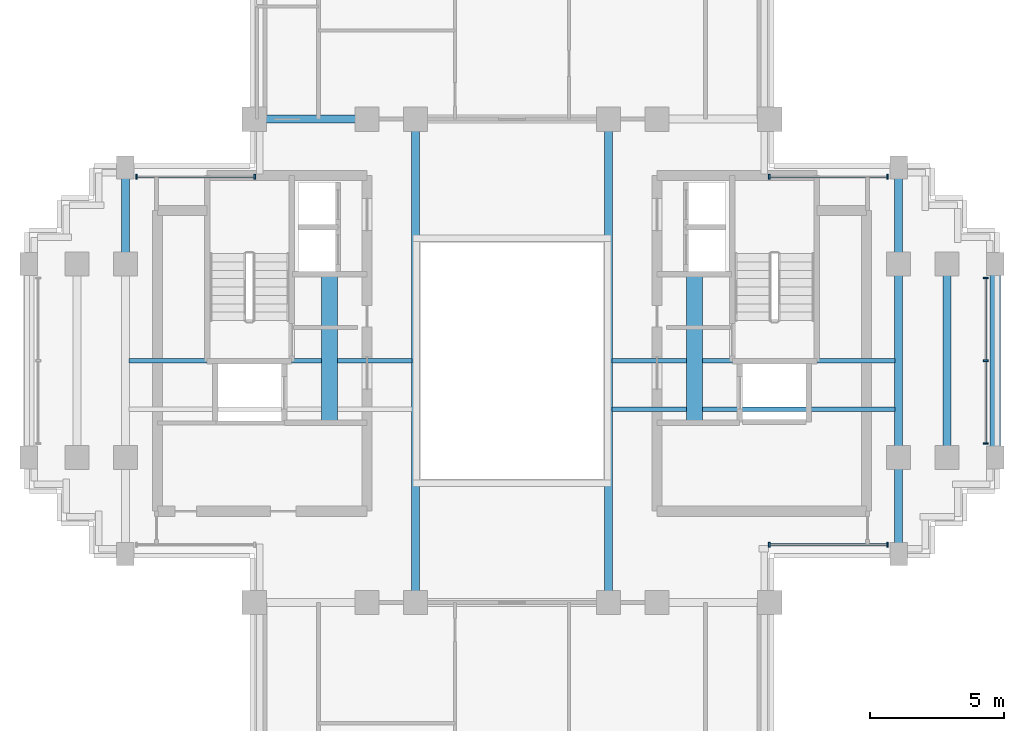
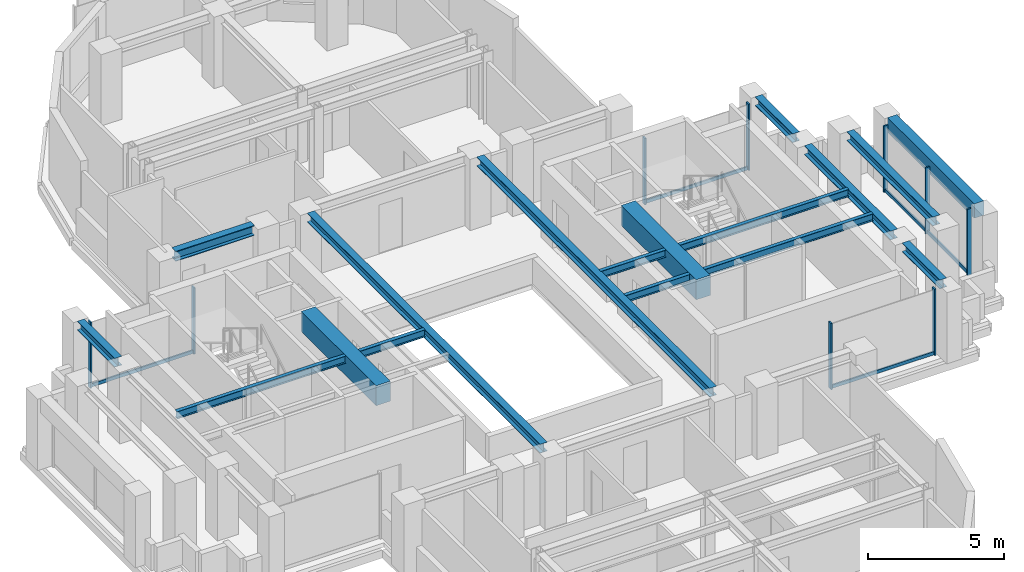
# One storey, part 3 of 11: 14 beams, 14 members, 4 elements without a shape of their own.
"""IFC4 building model written with IfcOpenShell, lengths in metres."""

from ifc_helpers import new_model, si_unit, direction, frame, origin, origin_2d, place, context, subcontext, project, spatial, rectangle, i_section, extrude, source, transform, mapped, material, material_profile, profile_set, type_object, element, aggregate, save


model = new_model("IFC4")

# Units and contexts
model_context = context("Model", 3, precision=1e-05, world=origin(), true_north=direction((0.0, 1.0)))
body_context = subcontext(model_context, "Body", "Model", "MODEL_VIEW")
ifc_project = project(units=[si_unit("LENGTHUNIT", "METRE"), si_unit("AREAUNIT", "SQUARE_METRE"), si_unit("VOLUMEUNIT", "CUBIC_METRE"), si_unit("PLANEANGLEUNIT", "RADIAN"), si_unit("MASSUNIT", "GRAM", prefix="KILO")], contexts=[model_context])

# Site, building, storey
site_placement = place(None, origin())
site = spatial("IfcSite", under=ifc_project, at=site_placement, CompositionType="ELEMENT")
building_placement = place(site_placement, origin())
building = spatial("IfcBuilding", under=site, at=building_placement, Name="Keilestroom Media Tower", CompositionType="ELEMENT")
storey_placement = place(building_placement, frame((0.0, 0.0, 208.0)))
storey = spatial("IfcBuildingStorey", under=building, at=storey_placement, Name="L57", CompositionType="ELEMENT", Elevation=208.0)

# Beams
ifc_material_1 = material(Name="Concrete C70/85", Category="concrete")
ifc_material_profile_1 = material_profile(ifc_material_1, rectangle(XDim=0.60009765625, YDim=0.89990234375, at=origin_2d()), Name="RC 600x900")
ifc_profile_set_1 = profile_set([ifc_material_profile_1], Name="Concrete C70/85")
beam_type_1 = type_object("IfcBeamType", Name="Core-Coupling-Lintel-Beam-RC-600x900", PredefinedType="LINTEL", material=ifc_profile_set_1)
shared_shape_1 = source(origin(), body_context, "Body", "SweptSolid", [
    extrude(rectangle(XDim=0.60009765625, YDim=0.89990234375, at=origin_2d()), origin(), (0.0, 0.0, 1.0), 5.52001953125),
])
for number, where, z_axis, x_axis, name in (
    (1, (-6.800048828125, -2.300048828125, 2.75), (0.0, 1.0, 0.0), (-1.0, 0.0, 0.0), "L57 Beam CLB-1 CLB-L57-W"),
    (2, (6.800048828125, -2.300048828125, 2.75), (0.0, 1.0, 0.0), (-1.0, 0.0, 0.0), "L57 Beam CLB-1 CLB-L57-E"),
):
    element("IfcBeam", number, at=place(storey_placement, frame(where, z_axis=z_axis, x_axis=x_axis)), inside=storey, type_object=beam_type_1, Name=name, PredefinedType="LINTEL", context=body_context, shape_type="MappedRepresentation", body=[
        mapped(shared_shape_1, transform((0.0, 0.0, 0.0), x_axis=(1.0, 0.0, 0.0), y_axis=(0.0, 1.0, 0.0), z_axis=(0.0, 0.0, 1.0), scale=1.0)),
    ])
ifc_material_2 = material(Name="Steel S355", Category="steel")
ifc_material_profile_2 = material_profile(ifc_material_2, i_section(OverallWidth=0.300048828125, OverallDepth=0.449951171875, WebThickness=0.011962890625, FlangeThickness=0.02587890625, at=origin_2d()), Name="HEB 450")
ifc_profile_set_2 = profile_set([ifc_material_profile_2], Name="Steel S355")
beam_type_2 = type_object("IfcBeamType", Name="Primary-Structural-Girder-HEB-450", PredefinedType="BEAM", material=ifc_profile_set_2)
shared_shape_2 = source(origin(), body_context, "Body", "SweptSolid", [
    extrude(i_section(OverallWidth=0.300048828125, OverallDepth=0.449951171875, WebThickness=0.011962890625, FlangeThickness=0.02587890625, at=origin_2d()), origin(), (0.0, 0.0, 1.0), 3.33984375),
])
beam_1_placement = place(storey_placement, frame((-9.169921875, 9.0, 2.97509765625), z_axis=(1.0, 0.0, 0.0), x_axis=(0.0, 1.0, 0.0)))
element("IfcBeam", 3, at=beam_1_placement, inside=storey, type_object=beam_type_2, Name="L57 Beam BG-7 BM-L57-EW-020", PredefinedType="BEAM", context=body_context, shape_type="MappedRepresentation", body=[
    mapped(shared_shape_2, transform((0.0, 0.0, 0.0), x_axis=(1.0, 0.0, 0.0), y_axis=(0.0, 1.0, 0.0), z_axis=(0.0, 0.0, 1.0), scale=1.0)),
])
ifc_material_3 = material(Name="Precast concrete C40/50", Category="concrete")
ifc_material_profile_3 = material_profile(ifc_material_3, rectangle(XDim=0.39990234375, YDim=0.64990234375, at=origin_2d()), Name="PC 400x650")
ifc_profile_set_3 = profile_set([ifc_material_profile_3], Name="Precast concrete C40/50")
beam_type_3 = type_object("IfcBeamType", Name="Perimeter-Spandrel-Beam-PC-400x650", PredefinedType="SPANDREL", material=ifc_profile_set_3)
shared_shape_3 = source(origin(), body_context, "Body", "SweptSolid", [
    extrude(rectangle(XDim=0.39990234375, YDim=0.64990234375, at=origin_2d()), origin(), (0.0, 0.0, 1.0), 6.39013671875),
])
beam_2_placement = place(storey_placement, frame((18.0, -3.195068359375, 2.875), z_axis=(0.0, 1.0, 0.0), x_axis=(-1.0, 0.0, 0.0)))
element("IfcBeam", 4, at=beam_2_placement, inside=storey, type_object=beam_type_3, Name="L57 Beam SPB-2 BM-L57-NS-054", PredefinedType="SPANDREL", context=body_context, shape_type="MappedRepresentation", body=[
    mapped(shared_shape_3, transform((0.0, 0.0, 0.0), x_axis=(1.0, 0.0, 0.0), y_axis=(0.0, 1.0, 0.0), z_axis=(0.0, 0.0, 1.0), scale=1.0)),
])
ifc_material_profile_4 = material_profile(ifc_material_2, i_section(OverallWidth=0.300048828125, OverallDepth=0.39990234375, WebThickness=0.011474609375, FlangeThickness=0.02392578125, at=origin_2d()), Name="HEB 400")
ifc_profile_set_4 = profile_set([ifc_material_profile_4], Name="Steel S355")
beam_type_4 = type_object("IfcBeamType", Name="Primary-Structural-Girder-HEB-400", PredefinedType="BEAM", material=ifc_profile_set_4)
shared_shape_4 = source(origin(), body_context, "Body", "SweptSolid", [
    extrude(i_section(OverallWidth=0.300048828125, OverallDepth=0.39990234375, WebThickness=0.011474609375, FlangeThickness=0.02392578125, at=origin_2d()), origin(), (0.0, 0.0, 1.0), 6.33984375),
])
for number, where, z_axis, x_axis, name in (
    (5, (14.39990234375, -3.169921875, 3.0), (0.0, 1.0, 0.0), (-1.0, 0.0, 0.0), "L57 Beam BG-8 BM-L57-NS-051"),
    (6, (16.199951171875, -3.169921875, 3.0), (0.0, 1.0, 0.0), (-1.0, 0.0, 0.0), "L57 Beam BG-8 BM-L57-NS-053"),
):
    element("IfcBeam", number, at=place(storey_placement, frame(where, z_axis=z_axis, x_axis=x_axis)), inside=storey, type_object=beam_type_4, Name=name, PredefinedType="BEAM", context=body_context, shape_type="MappedRepresentation", body=[
        mapped(shared_shape_4, transform((0.0, 0.0, 0.0), x_axis=(1.0, 0.0, 0.0), y_axis=(0.0, 1.0, 0.0), z_axis=(0.0, 0.0, 1.0), scale=1.0)),
    ])
shared_shape_5 = source(origin(), body_context, "Body", "SweptSolid", [
    extrude(i_section(OverallWidth=0.300048828125, OverallDepth=0.39990234375, WebThickness=0.011474609375, FlangeThickness=0.02392578125, at=origin_2d()), origin(), (0.0, 0.0, 1.0), 2.764892578125),
])
for number, where, z_axis, x_axis, name in (
    (7, (-14.39990234375, 4.030029296875, 3.0), (0.0, 1.0, 0.0), (-1.0, 0.0, 0.0), "L57 Beam BG-8 BM-L57-NS-035"),
    (8, (14.39990234375, -6.794921875, 3.0), (0.0, 1.0, 0.0), (-1.0, 0.0, 0.0), "L57 Beam BG-8 BM-L57-NS-050"),
    (9, (14.39990234375, 4.030029296875, 3.0), (0.0, 1.0, 0.0), (-1.0, 0.0, 0.0), "L57 Beam BG-8 BM-L57-NS-052"),
):
    element("IfcBeam", number, at=place(storey_placement, frame(where, z_axis=z_axis, x_axis=x_axis)), inside=storey, type_object=beam_type_4, Name=name, PredefinedType="BEAM", context=body_context, shape_type="MappedRepresentation", body=[
        mapped(shared_shape_5, transform((0.0, 0.0, 0.0), x_axis=(1.0, 0.0, 0.0), y_axis=(0.0, 1.0, 0.0), z_axis=(0.0, 0.0, 1.0), scale=1.0)),
    ])
shared_shape_6 = source(origin(), body_context, "Body", "SweptSolid", [
    extrude(i_section(OverallWidth=0.300048828125, OverallDepth=0.39990234375, WebThickness=0.011474609375, FlangeThickness=0.02392578125, at=origin_2d()), origin(), (0.0, 0.0, 1.0), 17.14013671875),
])
for number, where, z_axis, x_axis, name in (
    (10, (-3.60009765625, -8.570068359375, 3.0), (0.0, 1.0, 0.0), (-1.0, 0.0, 0.0), "L57 Beam BG-8 BM-L57-NS-040"),
    (11, (3.60009765625, -8.570068359375, 3.0), (0.0, 1.0, 0.0), (-1.0, 0.0, 0.0), "L57 Beam BG-8 BM-L57-NS-045"),
):
    element("IfcBeam", number, at=place(storey_placement, frame(where, z_axis=z_axis, x_axis=x_axis)), inside=storey, type_object=beam_type_4, Name=name, PredefinedType="BEAM", context=body_context, shape_type="MappedRepresentation", body=[
        mapped(shared_shape_6, transform((0.0, 0.0, 0.0), x_axis=(1.0, 0.0, 0.0), y_axis=(0.0, 1.0, 0.0), z_axis=(0.0, 0.0, 1.0), scale=1.0)),
    ])
ifc_material_profile_5 = material_profile(ifc_material_2, i_section(OverallWidth=0.159912109375, OverallDepth=0.330078125, WebThickness=0.007568359375, FlangeThickness=0.011474609375, at=origin_2d()), Name="IPE 330")
ifc_profile_set_5 = profile_set([ifc_material_profile_5], Name="Steel S355")
beam_type_5 = type_object("IfcBeamType", Name="Secondary-Floor-Joist-IPE-330", PredefinedType="JOIST", material=ifc_profile_set_5)
shared_shape_7 = source(origin(), body_context, "Body", "SweptSolid", [
    extrude(i_section(OverallWidth=0.159912109375, OverallDepth=0.330078125, WebThickness=0.007568359375, FlangeThickness=0.011474609375, at=origin_2d()), origin(), (0.0, 0.0, 1.0), 10.5400390625),
])
for number, where, z_axis, x_axis, name in (
    (12, (3.72998046875, -1.800048828125, 3.034912109375), (1.0, 0.0, 0.0), (0.0, 1.0, 0.0), "L57 Beam BJ-6 JST-L57-059"),
    (13, (-14.27001953125, 0.0, 3.034912109375), (1.0, 0.0, 0.0), (0.0, 1.0, 0.0), "L57 Beam BJ-6 JST-L57-060"),
    (14, (3.72998046875, 0.0, 3.034912109375), (1.0, 0.0, 0.0), (0.0, 1.0, 0.0), "L57 Beam BJ-6 JST-L57-062"),
):
    element("IfcBeam", number, at=place(storey_placement, frame(where, z_axis=z_axis, x_axis=x_axis)), inside=storey, type_object=beam_type_5, Name=name, PredefinedType="JOIST", context=body_context, shape_type="MappedRepresentation", body=[
        mapped(shared_shape_7, transform((0.0, 0.0, 0.0), x_axis=(1.0, 0.0, 0.0), y_axis=(0.0, 1.0, 0.0), z_axis=(0.0, 0.0, 1.0), scale=1.0)),
    ])

# Curtain wall, members
ifc_material_4 = material(Name="Anodised Aluminium Alloy", Category="aluminium")
curtain_wall_type = type_object("IfcCurtainWallType", Name="Unitised-Curtain-Wall-CW-3", PredefinedType="NOTDEFINED", material=ifc_material_4)
curtain_wall_1_placement = place(storey_placement, origin())
curtain_wall_1 = element("IfcCurtainWall", 15, at=curtain_wall_1_placement, inside=storey, type_object=curtain_wall_type, Name="L57 Curtain Wall CW-3 CW-L57-E-1", PredefinedType="NOTDEFINED")
ifc_material_profile_6 = material_profile(ifc_material_4, rectangle(XDim=0.06494140625, YDim=0.179931640625, at=origin_2d()), Name="ALU MULLION 65x180")
ifc_profile_set_6 = profile_set([ifc_material_profile_6], Name="Anodised Aluminium Alloy")
member_type_1 = type_object("IfcMemberType", Name="Curtain-Wall-Mullion-CW-3", PredefinedType="MULLION", material=ifc_profile_set_6)
shared_shape_8 = source(origin(), body_context, "Body", "SweptSolid", [
    extrude(rectangle(XDim=0.06494140625, YDim=0.179931640625, at=origin_2d()), origin(), (0.0, 0.0, 1.0), 2.97998046875),
])
member_1_placement = place(storey_placement, frame((17.64990234375, -3.08251953125, 0.0), z_axis=(0.0, 0.0, 1.0), x_axis=(0.0, 1.0, 0.0)))
member_1 = element("IfcMember", 16, at=member_1_placement, type_object=member_type_1, Name="CW-3 Mullion 00", PredefinedType="MULLION", context=body_context, shape_type="MappedRepresentation", body=[
    mapped(shared_shape_8, transform((0.0, 0.0, 0.0), x_axis=(1.0, 0.0, 0.0), y_axis=(0.0, 1.0, 0.0), z_axis=(0.0, 0.0, 1.0), scale=1.0)),
])
member_2_placement = place(storey_placement, frame((17.64990234375, 0.0, 0.0), z_axis=(0.0, 0.0, 1.0), x_axis=(0.0, 1.0, 0.0)))
member_2 = element("IfcMember", 17, at=member_2_placement, type_object=member_type_1, Name="CW-3 Mullion 01", PredefinedType="MULLION", context=body_context, shape_type="MappedRepresentation", body=[
    mapped(shared_shape_8, transform((0.0, 0.0, 0.0), x_axis=(1.0, 0.0, 0.0), y_axis=(0.0, 1.0, 0.0), z_axis=(0.0, 0.0, 1.0), scale=1.0)),
])
member_3_placement = place(storey_placement, frame((17.64990234375, 3.08251953125, 0.0), z_axis=(0.0, 0.0, 1.0), x_axis=(0.0, 1.0, 0.0)))
member_3 = element("IfcMember", 18, at=member_3_placement, type_object=member_type_1, Name="CW-3 Mullion 02", PredefinedType="MULLION", context=body_context, shape_type="MappedRepresentation", body=[
    mapped(shared_shape_8, transform((0.0, 0.0, 0.0), x_axis=(1.0, 0.0, 0.0), y_axis=(0.0, 1.0, 0.0), z_axis=(0.0, 0.0, 1.0), scale=1.0)),
])

curtain_wall_2_placement = place(storey_placement, origin())
curtain_wall_2 = element("IfcCurtainWall", 19, at=curtain_wall_2_placement, inside=storey, type_object=curtain_wall_type, Name="L57 Curtain Wall CW-3 CW-L57-NW-1", PredefinedType="NOTDEFINED")
member_4_placement = place(storey_placement, frame((-13.982421875, 6.85009765625, 0.0), z_axis=(0.0, 0.0, 1.0), x_axis=(1.0, 0.0, 0.0)))
member_4 = element("IfcMember", 20, at=member_4_placement, type_object=member_type_1, Name="CW-3 Mullion 00", PredefinedType="MULLION", context=body_context, shape_type="MappedRepresentation", body=[
    mapped(shared_shape_8, transform((0.0, 0.0, 0.0), x_axis=(1.0, 0.0, 0.0), y_axis=(0.0, 1.0, 0.0), z_axis=(0.0, 0.0, 1.0), scale=1.0)),
])
member_5_placement = place(storey_placement, frame((-9.58251953125, 6.85009765625, 0.0), z_axis=(0.0, 0.0, 1.0), x_axis=(1.0, 0.0, 0.0)))
member_5 = element("IfcMember", 21, at=member_5_placement, type_object=member_type_1, Name="CW-3 Mullion 01", PredefinedType="MULLION", context=body_context, shape_type="MappedRepresentation", body=[
    mapped(shared_shape_8, transform((0.0, 0.0, 0.0), x_axis=(1.0, 0.0, 0.0), y_axis=(0.0, 1.0, 0.0), z_axis=(0.0, 0.0, 1.0), scale=1.0)),
])

curtain_wall_3_placement = place(storey_placement, origin())
curtain_wall_3 = element("IfcCurtainWall", 22, at=curtain_wall_3_placement, inside=storey, type_object=curtain_wall_type, Name="L57 Curtain Wall CW-3 CW-L57-NE-1", PredefinedType="NOTDEFINED")
member_6_placement = place(storey_placement, frame((9.58251953125, 6.85009765625, 0.0), z_axis=(0.0, 0.0, 1.0), x_axis=(1.0, 0.0, 0.0)))
member_6 = element("IfcMember", 23, at=member_6_placement, type_object=member_type_1, Name="CW-3 Mullion 00", PredefinedType="MULLION", context=body_context, shape_type="MappedRepresentation", body=[
    mapped(shared_shape_8, transform((0.0, 0.0, 0.0), x_axis=(1.0, 0.0, 0.0), y_axis=(0.0, 1.0, 0.0), z_axis=(0.0, 0.0, 1.0), scale=1.0)),
])
member_7_placement = place(storey_placement, frame((13.982421875, 6.85009765625, 0.0), z_axis=(0.0, 0.0, 1.0), x_axis=(1.0, 0.0, 0.0)))
member_7 = element("IfcMember", 24, at=member_7_placement, type_object=member_type_1, Name="CW-3 Mullion 01", PredefinedType="MULLION", context=body_context, shape_type="MappedRepresentation", body=[
    mapped(shared_shape_8, transform((0.0, 0.0, 0.0), x_axis=(1.0, 0.0, 0.0), y_axis=(0.0, 1.0, 0.0), z_axis=(0.0, 0.0, 1.0), scale=1.0)),
])

curtain_wall_4_placement = place(storey_placement, origin())
curtain_wall_4 = element("IfcCurtainWall", 25, at=curtain_wall_4_placement, inside=storey, type_object=curtain_wall_type, Name="L57 Curtain Wall CW-3 CW-L57-SE-1", PredefinedType="NOTDEFINED")
member_8_placement = place(storey_placement, frame((9.58251953125, -6.85009765625, 0.0), z_axis=(0.0, 0.0, 1.0), x_axis=(1.0, 0.0, 0.0)))
member_8 = element("IfcMember", 26, at=member_8_placement, type_object=member_type_1, Name="CW-3 Mullion 00", PredefinedType="MULLION", context=body_context, shape_type="MappedRepresentation", body=[
    mapped(shared_shape_8, transform((0.0, 0.0, 0.0), x_axis=(1.0, 0.0, 0.0), y_axis=(0.0, 1.0, 0.0), z_axis=(0.0, 0.0, 1.0), scale=1.0)),
])
member_9_placement = place(storey_placement, frame((13.982421875, -6.85009765625, 0.0), z_axis=(0.0, 0.0, 1.0), x_axis=(1.0, 0.0, 0.0)))
member_9 = element("IfcMember", 27, at=member_9_placement, type_object=member_type_1, Name="CW-3 Mullion 01", PredefinedType="MULLION", context=body_context, shape_type="MappedRepresentation", body=[
    mapped(shared_shape_8, transform((0.0, 0.0, 0.0), x_axis=(1.0, 0.0, 0.0), y_axis=(0.0, 1.0, 0.0), z_axis=(0.0, 0.0, 1.0), scale=1.0)),
])

# Member
ifc_material_profile_7 = material_profile(ifc_material_4, rectangle(XDim=0.06494140625, YDim=0.14990234375, at=origin_2d()), Name="ALU TRANSOM 65x150")
ifc_profile_set_7 = profile_set([ifc_material_profile_7], Name="Anodised Aluminium Alloy")
member_type_2 = type_object("IfcMemberType", Name="Curtain-Wall-Transom-CW-3", PredefinedType="USERDEFINED", material=ifc_profile_set_7)
shared_shape_9 = source(origin(), body_context, "Body", "SweptSolid", [
    extrude(rectangle(XDim=0.06494140625, YDim=0.14990234375, at=origin_2d()), origin(), (0.0, 0.0, 1.0), 4.3388671875),
])
member_10_placement = place(storey_placement, frame((-13.951904296875, 6.85009765625, 0.074951171875), z_axis=(1.0, 0.0, 0.0), x_axis=(0.0, 1.0, 0.0)))
member_10 = element("IfcMember", 28, at=member_10_placement, type_object=member_type_2, Name="CW-3 Transom 00.1", ObjectType="TRANSOM", PredefinedType="USERDEFINED", context=body_context, shape_type="MappedRepresentation", body=[
    mapped(shared_shape_9, transform((0.0, 0.0, 0.0), x_axis=(1.0, 0.0, 0.0), y_axis=(0.0, 1.0, 0.0), z_axis=(0.0, 0.0, 1.0), scale=1.0)),
])

aggregate(curtain_wall_2, [member_4, member_5, member_10])

member_11_placement = place(storey_placement, frame((9.613037109375, 6.85009765625, 0.074951171875), z_axis=(1.0, 0.0, 0.0), x_axis=(0.0, 1.0, 0.0)))
member_11 = element("IfcMember", 29, at=member_11_placement, type_object=member_type_2, Name="CW-3 Transom 00.1", ObjectType="TRANSOM", PredefinedType="USERDEFINED", context=body_context, shape_type="MappedRepresentation", body=[
    mapped(shared_shape_9, transform((0.0, 0.0, 0.0), x_axis=(1.0, 0.0, 0.0), y_axis=(0.0, 1.0, 0.0), z_axis=(0.0, 0.0, 1.0), scale=1.0)),
])

aggregate(curtain_wall_3, [member_6, member_7, member_11])

member_12_placement = place(storey_placement, frame((9.613037109375, -6.85009765625, 0.074951171875), z_axis=(1.0, 0.0, 0.0), x_axis=(0.0, 1.0, 0.0)))
member_12 = element("IfcMember", 30, at=member_12_placement, type_object=member_type_2, Name="CW-3 Transom 00.1", ObjectType="TRANSOM", PredefinedType="USERDEFINED", context=body_context, shape_type="MappedRepresentation", body=[
    mapped(shared_shape_9, transform((0.0, 0.0, 0.0), x_axis=(1.0, 0.0, 0.0), y_axis=(0.0, 1.0, 0.0), z_axis=(0.0, 0.0, 1.0), scale=1.0)),
])

aggregate(curtain_wall_4, [member_8, member_9, member_12])

shared_shape_10 = source(origin(), body_context, "Body", "SweptSolid", [
    extrude(rectangle(XDim=0.06494140625, YDim=0.14990234375, at=origin_2d()), origin(), (0.0, 0.0, 1.0), 3.021484375),
])
member_13_placement = place(storey_placement, frame((17.64990234375, -3.052001953125, 0.074951171875), z_axis=(0.0, 1.0, 0.0), x_axis=(-1.0, 0.0, 0.0)))
member_13 = element("IfcMember", 31, at=member_13_placement, type_object=member_type_2, Name="CW-3 Transom 00.1", ObjectType="TRANSOM", PredefinedType="USERDEFINED", context=body_context, shape_type="MappedRepresentation", body=[
    mapped(shared_shape_10, transform((0.0, 0.0, 0.0), x_axis=(1.0, 0.0, 0.0), y_axis=(0.0, 1.0, 0.0), z_axis=(0.0, 0.0, 1.0), scale=1.0)),
])

member_14_placement = place(storey_placement, frame((17.64990234375, 0.030517578125, 0.074951171875), z_axis=(0.0, 1.0, 0.0), x_axis=(-1.0, 0.0, 0.0)))
member_14 = element("IfcMember", 32, at=member_14_placement, type_object=member_type_2, Name="CW-3 Transom 01.1", ObjectType="TRANSOM", PredefinedType="USERDEFINED", context=body_context, shape_type="MappedRepresentation", body=[
    mapped(shared_shape_10, transform((0.0, 0.0, 0.0), x_axis=(1.0, 0.0, 0.0), y_axis=(0.0, 1.0, 0.0), z_axis=(0.0, 0.0, 1.0), scale=1.0)),
])

aggregate(curtain_wall_1, [member_1, member_2, member_3, member_13, member_14])

save(model, "model.ifc")
